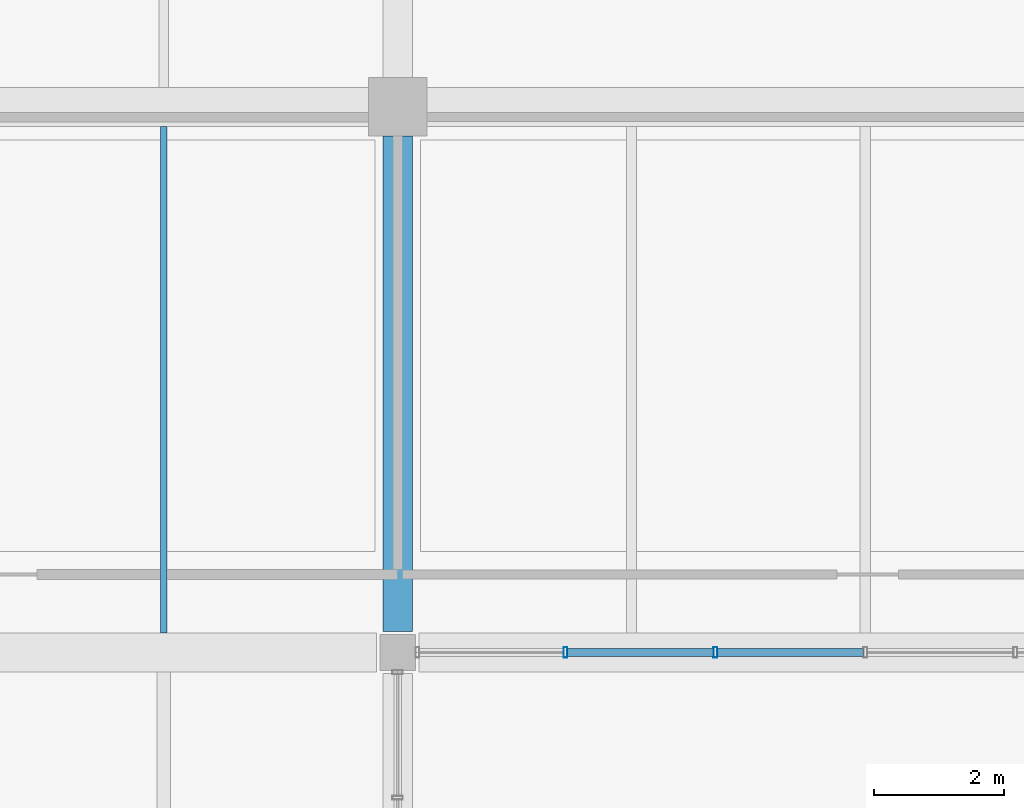
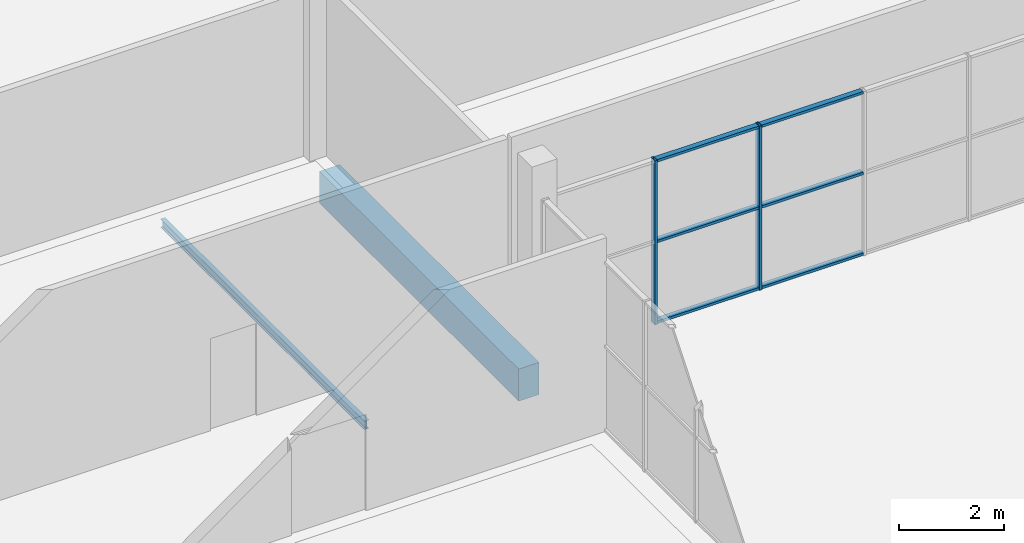
# One storey, part 22 of 130: 8 members, 2 beams, 1 element without a shape of its own.
"""IFC4 building model written with IfcOpenShell, lengths in metres."""

from ifc_helpers import new_model, si_unit, direction, frame, origin, origin_2d, place, context, subcontext, project, spatial, rectangle, hollow_rectangle, i_section, extrude, material, material_profile, profile_set, type_object, element, aggregate, save


model = new_model("IFC4")

# Units and contexts
model_context = context("Model", 3, precision=1e-05, world=origin(), true_north=direction((0.0, 1.0)))
body_context = subcontext(model_context, "Body", "Model", "MODEL_VIEW")
ifc_project = project(units=[si_unit("LENGTHUNIT", "METRE"), si_unit("AREAUNIT", "SQUARE_METRE"), si_unit("VOLUMEUNIT", "CUBIC_METRE"), si_unit("PLANEANGLEUNIT", "RADIAN"), si_unit("MASSUNIT", "GRAM", prefix="KILO"), si_unit("THERMODYNAMICTEMPERATUREUNIT", "KELVIN")], contexts=[model_context])

# Site, building, storey
site_placement = place(None, origin())
site = spatial("IfcSite", under=ifc_project, at=site_placement, CompositionType="ELEMENT")
building_placement = place(site_placement, origin())
building = spatial("IfcBuilding", under=site, at=building_placement, Name="Nduvali Passage Aquatics Centre", CompositionType="ELEMENT")
storey_placement = place(building_placement, origin())
storey = spatial("IfcBuildingStorey", under=building, at=storey_placement, Name="L00", CompositionType="ELEMENT", Elevation=0.0)

# Curtain wall, members
ifc_material_1 = material(Name="Aluminium EN AW-6063 T6", Category="aluminium")
curtain_wall_type = type_object("IfcCurtainWallType", Name="ENV-CW-COUR", PredefinedType="NOTDEFINED", material=ifc_material_1)
curtain_wall_placement = place(storey_placement, origin())
curtain_wall = element("IfcCurtainWall", 1, at=curtain_wall_placement, inside=storey, type_object=curtain_wall_type, Name="L00 Monsoon Courtyard Cloister CW 163", PredefinedType="NOTDEFINED")
ifc_material_profile_1 = material_profile(ifc_material_1, hollow_rectangle(XDim=0.06005859375, YDim=0.159912109375, WallThickness=0.00390625, at=origin_2d()), Name="ALU MULLION 60x160x4")
ifc_profile_set_1 = profile_set([ifc_material_profile_1], Name="Aluminium EN AW-6063 T6")
member_type_1 = type_object("IfcMemberType", Name="ENV-MEM-MUL60", PredefinedType="MULLION", material=ifc_profile_set_1)
member_1_placement = place(storey_placement, frame((70.9833984375, 16.800048828125, 0.0), z_axis=(0.0, 0.0, 1.0), x_axis=(1.0, 0.0, 0.0)))
member_1 = element("IfcMember", 2, at=member_1_placement, type_object=member_type_1, Name="Monsoon Courtyard Cloister CW Mullion 2", PredefinedType="MULLION", context=body_context, shape_type="SweptSolid", body=[
    extrude(hollow_rectangle(XDim=0.06005859375, YDim=0.159912109375, WallThickness=0.00390625, at=origin_2d()), origin(), (0.0, 0.0, 1.0), 3.83251953125),
])
member_2_placement = place(storey_placement, frame((73.291748046875, 16.800048828125, 0.0), z_axis=(0.0, 0.0, 1.0), x_axis=(1.0, 0.0, 0.0)))
member_2 = element("IfcMember", 3, at=member_2_placement, type_object=member_type_1, Name="Monsoon Courtyard Cloister CW Mullion 3", PredefinedType="MULLION", context=body_context, shape_type="SweptSolid", body=[
    extrude(hollow_rectangle(XDim=0.06005859375, YDim=0.159912109375, WallThickness=0.00390625, at=origin_2d()), origin(), (0.0, 0.0, 1.0), 3.83251953125),
])
ifc_material_profile_2 = material_profile(ifc_material_1, hollow_rectangle(XDim=0.1201171875, YDim=0.06005859375, WallThickness=0.00390625, at=origin_2d()), Name="ALU TRANSOM 120x60x4")
ifc_profile_set_2 = profile_set([ifc_material_profile_2], Name="Aluminium EN AW-6063 T6")
member_type_2 = type_object("IfcMemberType", Name="ENV-MEM-TRN60", PredefinedType="USERDEFINED", material=ifc_profile_set_2)
member_3_placement = place(storey_placement, frame((71.01318359375, 16.800048828125, 0.030029296875), z_axis=(1.0, 0.0, 0.0), x_axis=(0.0, 1.0, 0.0)))
member_3 = element("IfcMember", 4, at=member_3_placement, type_object=member_type_2, Name="Monsoon Courtyard Cloister CW Transom B2-R0", ObjectType="TRANSOM", PredefinedType="USERDEFINED", context=body_context, shape_type="SweptSolid", body=[
    extrude(hollow_rectangle(XDim=0.1201171875, YDim=0.06005859375, WallThickness=0.00390625, at=origin_2d()), origin(), (0.0, 0.0, 1.0), 2.24853515625),
])
member_4_placement = place(storey_placement, frame((71.01318359375, 16.800048828125, 1.916259765625), z_axis=(1.0, 0.0, 0.0), x_axis=(0.0, 1.0, 0.0)))
member_4 = element("IfcMember", 5, at=member_4_placement, type_object=member_type_2, Name="Monsoon Courtyard Cloister CW Transom B2-R1", ObjectType="TRANSOM", PredefinedType="USERDEFINED", context=body_context, shape_type="SweptSolid", body=[
    extrude(hollow_rectangle(XDim=0.1201171875, YDim=0.06005859375, WallThickness=0.00390625, at=origin_2d()), origin(), (0.0, 0.0, 1.0), 2.24853515625),
])
member_5_placement = place(storey_placement, frame((71.01318359375, 16.800048828125, 3.802490234375), z_axis=(1.0, 0.0, 0.0), x_axis=(0.0, 1.0, 0.0)))
member_5 = element("IfcMember", 6, at=member_5_placement, type_object=member_type_2, Name="Monsoon Courtyard Cloister CW Transom B2-R2", ObjectType="TRANSOM", PredefinedType="USERDEFINED", context=body_context, shape_type="SweptSolid", body=[
    extrude(hollow_rectangle(XDim=0.1201171875, YDim=0.06005859375, WallThickness=0.00390625, at=origin_2d()), origin(), (0.0, 0.0, 1.0), 2.24853515625),
])
member_6_placement = place(storey_placement, frame((73.32177734375, 16.800048828125, 0.030029296875), z_axis=(1.0, 0.0, 0.0), x_axis=(0.0, 1.0, 0.0)))
member_6 = element("IfcMember", 7, at=member_6_placement, type_object=member_type_2, Name="Monsoon Courtyard Cloister CW Transom B3-R0", ObjectType="TRANSOM", PredefinedType="USERDEFINED", context=body_context, shape_type="SweptSolid", body=[
    extrude(hollow_rectangle(XDim=0.1201171875, YDim=0.06005859375, WallThickness=0.00390625, at=origin_2d()), origin(), (0.0, 0.0, 1.0), 2.248291015625),
])
member_7_placement = place(storey_placement, frame((73.32177734375, 16.800048828125, 1.916259765625), z_axis=(1.0, 0.0, 0.0), x_axis=(0.0, 1.0, 0.0)))
member_7 = element("IfcMember", 8, at=member_7_placement, type_object=member_type_2, Name="Monsoon Courtyard Cloister CW Transom B3-R1", ObjectType="TRANSOM", PredefinedType="USERDEFINED", context=body_context, shape_type="SweptSolid", body=[
    extrude(hollow_rectangle(XDim=0.1201171875, YDim=0.06005859375, WallThickness=0.00390625, at=origin_2d()), origin(), (0.0, 0.0, 1.0), 2.248291015625),
])
member_8_placement = place(storey_placement, frame((73.32177734375, 16.800048828125, 3.802490234375), z_axis=(1.0, 0.0, 0.0), x_axis=(0.0, 1.0, 0.0)))
member_8 = element("IfcMember", 9, at=member_8_placement, type_object=member_type_2, Name="Monsoon Courtyard Cloister CW Transom B3-R2", ObjectType="TRANSOM", PredefinedType="USERDEFINED", context=body_context, shape_type="SweptSolid", body=[
    extrude(hollow_rectangle(XDim=0.1201171875, YDim=0.06005859375, WallThickness=0.00390625, at=origin_2d()), origin(), (0.0, 0.0, 1.0), 2.248291015625),
])
aggregate(curtain_wall, [member_1, member_2, member_3, member_4, member_5, member_6, member_7, member_8])

# Beams
ifc_material_2 = material(Name="Concrete C40/50", Category="concrete")
ifc_material_profile_3 = material_profile(ifc_material_2, rectangle(XDim=0.449951171875, YDim=0.75, at=origin_2d()), Name="RC 450x750")
ifc_profile_set_3 = profile_set([ifc_material_profile_3], Name="Concrete C40/50")
beam_type_1 = type_object("IfcBeamType", Name="STR-BM-RC4575", PredefinedType="BEAM", material=ifc_profile_set_3)
beam_1_placement = place(storey_placement, frame((68.39990234375, 17.125, -0.675048828125), z_axis=(0.0, 1.0, 0.0), x_axis=(-1.0, 0.0, 0.0)))
element("IfcBeam", 10, at=beam_1_placement, inside=storey, type_object=beam_type_1, Name="L00 Primary Y-Girder B3-0153", PredefinedType="BEAM", context=body_context, shape_type="SweptSolid", body=[
    extrude(rectangle(XDim=0.449951171875, YDim=0.75, at=origin_2d()), origin(), (0.0, 0.0, 1.0), 7.625),
])
ifc_material_3 = material(Name="Steel S355", Category="steel")
ifc_material_profile_4 = material_profile(ifc_material_3, i_section(OverallWidth=0.10009765625, OverallDepth=0.199951171875, WebThickness=0.005615234375, FlangeThickness=0.008544921875, FilletRadius=0.011962890625, at=origin_2d()), Name="IPE 200")
ifc_profile_set_4 = profile_set([ifc_material_profile_4], Name="Steel S355")
beam_type_2 = type_object("IfcBeamType", Name="STR-JST-IPE200", PredefinedType="JOIST", material=ifc_profile_set_4)
beam_2_placement = place(storey_placement, frame((64.800048828125, 17.10009765625, -0.404052734375), z_axis=(0.0, 1.0, 0.0), x_axis=(-1.0, 0.0, 0.0)))
element("IfcBeam", 11, at=beam_2_placement, inside=storey, type_object=beam_type_2, Name="L00 Secondary Joist J9A-0278", PredefinedType="JOIST", context=body_context, shape_type="SweptSolid", body=[
    extrude(i_section(OverallWidth=0.10009765625, OverallDepth=0.199951171875, WebThickness=0.005615234375, FlangeThickness=0.008544921875, FilletRadius=0.011962890625, at=origin_2d()), origin(), (0.0, 0.0, 1.0), 7.7998046875),
])

save(model, "model.ifc")
